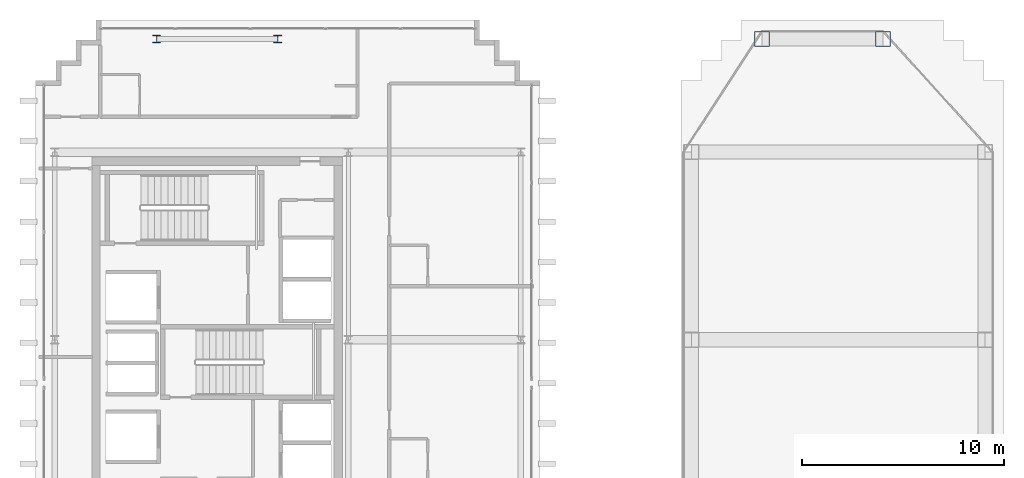
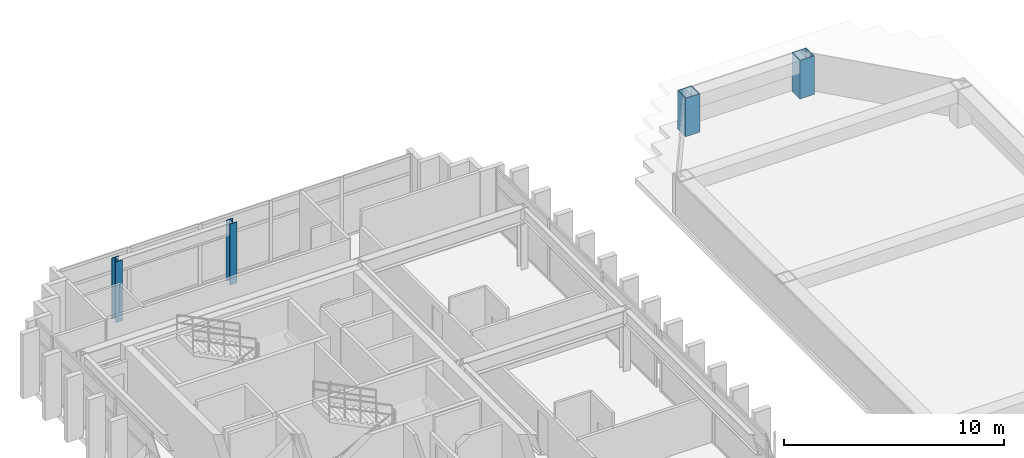
# One storey, part 2 of 17: 4 columns.
"""IFC4 building model written with IfcOpenShell, lengths in metres."""

from ifc_helpers import new_model, si_unit, direction, frame, origin, origin_2d, place, context, subcontext, project, spatial, hollow_rectangle, i_section, extrude, source, transform, mapped, material, material_profile, profile_set, type_object, element, save


model = new_model("IFC4")

# Units and contexts
model_context = context("Model", 3, precision=1e-05, world=origin(), true_north=direction((0.0, 1.0)))
body_context = subcontext(model_context, "Body", "Model", "MODEL_VIEW")
ifc_project = project(units=[si_unit("LENGTHUNIT", "METRE"), si_unit("AREAUNIT", "SQUARE_METRE"), si_unit("VOLUMEUNIT", "CUBIC_METRE"), si_unit("PLANEANGLEUNIT", "RADIAN"), si_unit("MASSUNIT", "GRAM", prefix="KILO")], contexts=[model_context])

# Site, building, storey
site_placement = place(None, origin())
site = spatial("IfcSite", under=ifc_project, at=site_placement, CompositionType="ELEMENT")
building_placement = place(site_placement, origin())
building = spatial("IfcBuilding", under=site, at=building_placement, Name="Ocotamira Hotel", CompositionType="ELEMENT")
storey_placement = place(building_placement, frame((0.0, 0.0, 272.39990234375)))
storey = spatial("IfcBuildingStorey", under=building, at=storey_placement, Name="L69", CompositionType="ELEMENT", Elevation=272.39990234375)

# Columns
ifc_material_1 = material(Name="Steel ASTM A992 Grade 50", Category="steel")
ifc_material_profile_1 = material_profile(ifc_material_1, i_section(OverallWidth=0.3740234375, OverallDepth=0.373046875, WebThickness=0.016357421875, FlangeThickness=0.026123046875, FilletRadius=0.02490234375, at=origin_2d()), Name="W14X132")
ifc_profile_set_1 = profile_set([ifc_material_profile_1], Name="Steel ASTM A992 Grade 50")
column_type_1 = type_object("IfcColumnType", Name="COL-W14X132", PredefinedType="COLUMN", material=ifc_profile_set_1)
shared_shape_1 = source(origin(), body_context, "Body", "SweptSolid", [
    extrude(i_section(OverallWidth=0.3740234375, OverallDepth=0.373046875, WebThickness=0.016357421875, FlangeThickness=0.026123046875, FilletRadius=0.02490234375, at=origin_2d()), origin(), (0.0, 0.0, 1.0), 3.380126953125),
])
for number, where, z_axis, x_axis, name in (
    (1, (14.0, 43.050048828125, 0.0), (0.0, 0.0, 1.0), (1.0, 0.0, 0.0), "L69 Column NSP2_14"),
    (2, (20.0, 43.050048828125, 0.0), (0.0, 0.0, 1.0), (1.0, 0.0, 0.0), "L69 Column NSP2_20"),
):
    element("IfcColumn", number, at=place(storey_placement, frame(where, z_axis=z_axis, x_axis=x_axis)), inside=storey, type_object=column_type_1, Name=name, PredefinedType="COLUMN", context=body_context, shape_type="MappedRepresentation", body=[
        mapped(shared_shape_1, transform((0.0, 0.0, 0.0), scale=1.0)),
    ])
ifc_material_2 = material(Name="Pale-metal coated steel ASTM A913 Grade 65", Category="steel")
ifc_material_profile_2 = material_profile(ifc_material_2, hollow_rectangle(XDim=0.75, YDim=0.75, WallThickness=0.028076171875, at=origin_2d()), Name="BOX750X750X28")
ifc_profile_set_2 = profile_set([ifc_material_profile_2], Name="Pale-metal coated steel ASTM A913 Grade 65")
column_type_2 = type_object("IfcColumnType", Name="COL-CROWN-750", PredefinedType="COLUMN", material=ifc_profile_set_2)
shared_shape_2 = source(origin(), body_context, "Body", "SweptSolid", [
    extrude(hollow_rectangle(XDim=0.75, YDim=0.75, WallThickness=0.028076171875, at=origin_2d()), origin(), (0.0, 0.0, 1.0), 2.14013671875),
])
for number, where, z_axis, x_axis, name in (
    (3, (44.0, 43.050048828125, 0.0), (0.0, 0.0, 1.0), (1.0, 0.0, 0.0), "EAST CROWN POST 09"),
    (4, (50.0, 43.050048828125, 0.0), (0.0, 0.0, 1.0), (1.0, 0.0, 0.0), "EAST CROWN POST 10"),
):
    element("IfcColumn", number, at=place(storey_placement, frame(where, z_axis=z_axis, x_axis=x_axis)), inside=storey, type_object=column_type_2, Name=name, PredefinedType="COLUMN", context=body_context, shape_type="MappedRepresentation", body=[
        mapped(shared_shape_2, transform((0.0, 0.0, 0.0), scale=1.0)),
    ])

save(model, "model.ifc")
